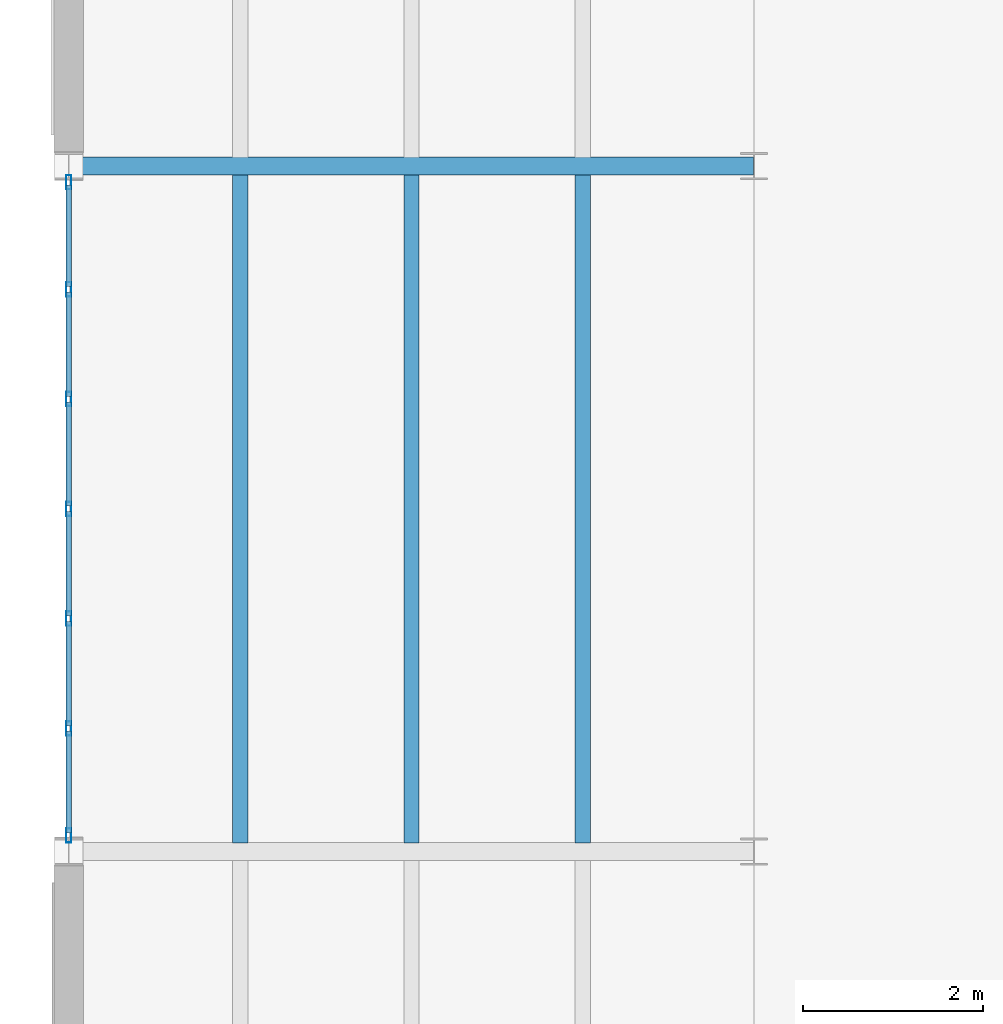
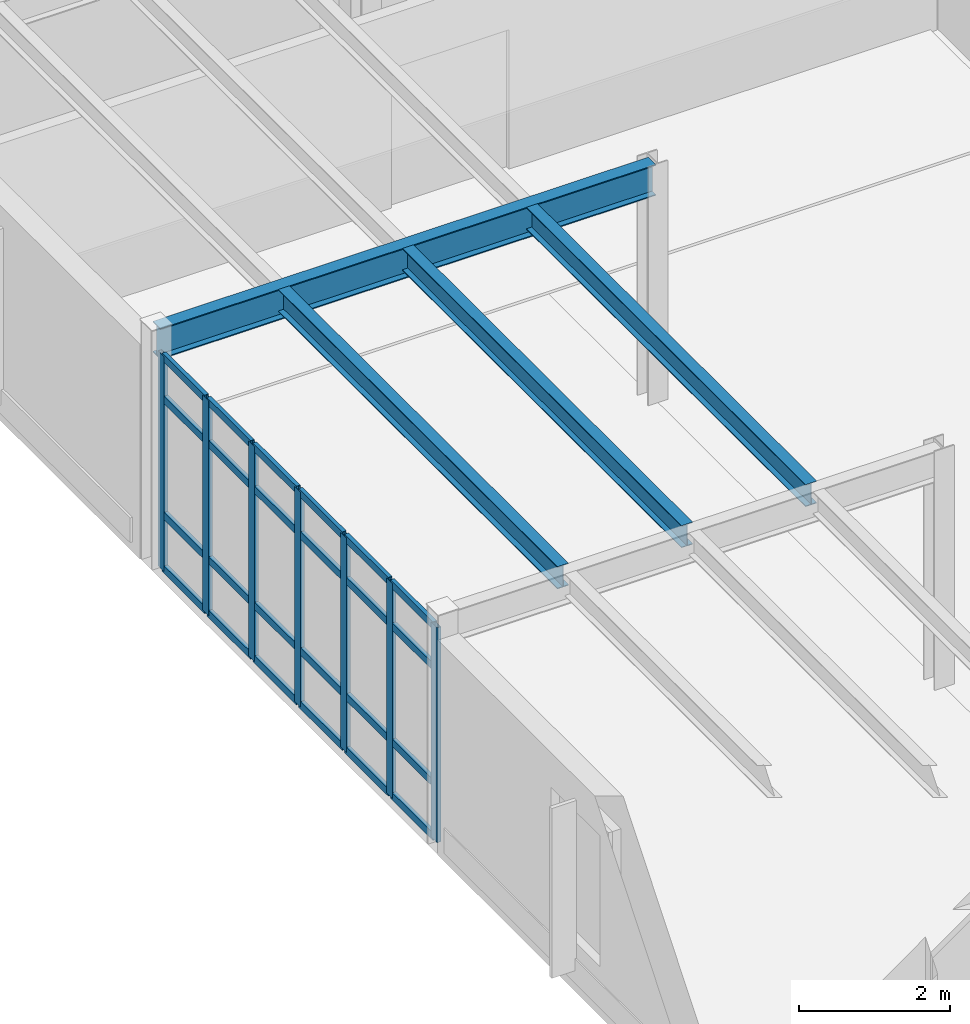
# One storey, part 32 of 114: 31 members, 4 beams, 1 element without a shape of its own.
"""IFC4 building model written with IfcOpenShell, lengths in metres."""

from ifc_helpers import new_model, si_unit, direction, frame, origin, origin_2d, place, context, subcontext, project, spatial, hollow_rectangle, i_section, extrude, material, layer, layer_set, material_profile, profile_set, type_object, element, aggregate, save


model = new_model("IFC4")

# Units and contexts
model_context = context("Model", 3, precision=1e-05, world=origin(), true_north=direction((0.0, 1.0)))
body_context = subcontext(model_context, "Body", "Model", "MODEL_VIEW")
ifc_project = project(units=[si_unit("LENGTHUNIT", "METRE"), si_unit("AREAUNIT", "SQUARE_METRE"), si_unit("VOLUMEUNIT", "CUBIC_METRE"), si_unit("PLANEANGLEUNIT", "RADIAN"), si_unit("MASSUNIT", "GRAM", prefix="KILO")], contexts=[model_context])

# Site, building, storey
site_placement = place(None, origin())
site = spatial("IfcSite", under=ifc_project, at=site_placement, CompositionType="ELEMENT")
building_placement = place(site_placement, origin())
building = spatial("IfcBuilding", under=site, at=building_placement, Name="Montecoro Central Library", CompositionType="ELEMENT")
storey_placement = place(building_placement, frame((0.0, 0.0, 13.260009765625)))
storey = spatial("IfcBuildingStorey", under=building, at=storey_placement, Name="L03", CompositionType="ELEMENT", Elevation=13.260009765625)

# Beams
ifc_material_1 = material(Name="Steel S355", Category="steel")
ifc_material_profile_1 = material_profile(ifc_material_1, i_section(OverallWidth=0.199951171875, OverallDepth=0.5, WebThickness=0.01025390625, FlangeThickness=0.01611328125, at=origin_2d()), Name="IPE 500")
ifc_profile_set_1 = profile_set([ifc_material_profile_1], Name="Steel S355")
beam_type_1 = type_object("IfcBeamType", Name="BM-G-IPE500", PredefinedType="USERDEFINED", material=ifc_profile_set_1)
beam_placement = place(storey_placement, frame((5.0048828125, 96.199951171875, 3.574951171875), z_axis=(1.0, 0.0, 0.0), x_axis=(0.0, 1.0, 0.0)))
element("IfcBeam", 1, at=beam_placement, inside=storey, type_object=beam_type_1, Name="V4-L03-BX-12-N", ObjectType="GIRDER", PredefinedType="USERDEFINED", context=body_context, shape_type="SweptSolid", body=[
    extrude(i_section(OverallWidth=0.199951171875, OverallDepth=0.5, WebThickness=0.01025390625, FlangeThickness=0.01611328125, at=origin_2d()), origin(), (0.0, 0.0, 1.0), 7.590087890625),
])
ifc_material_profile_2 = material_profile(ifc_material_1, i_section(OverallWidth=0.169921875, OverallDepth=0.360107421875, WebThickness=0.008056640625, FlangeThickness=0.0126953125, at=origin_2d()), Name="IPE 360")
ifc_profile_set_2 = profile_set([ifc_material_profile_2], Name="Steel S355")
beam_type_2 = type_object("IfcBeamType", Name="BM-J-IPE360", PredefinedType="JOIST", material=ifc_profile_set_2)
for number, where, z_axis, x_axis, name in (
    (2, (6.89990234375, 88.697021484375, 3.64501953125), (0.0, 1.0, 0.0), (-1.0, 0.0, 0.0), "V4-L03-JS-12-MN-1"),
    (3, (8.800048828125, 88.697021484375, 3.64501953125), (0.0, 1.0, 0.0), (-1.0, 0.0, 0.0), "V4-L03-JS-12-MN-2"),
    (4, (10.699951171875, 88.697021484375, 3.64501953125), (0.0, 1.0, 0.0), (-1.0, 0.0, 0.0), "V4-L03-JS-12-MN-3"),
):
    element("IfcBeam", number, at=place(storey_placement, frame(where, z_axis=z_axis, x_axis=x_axis)), inside=storey, type_object=beam_type_2, Name=name, PredefinedType="JOIST", context=body_context, shape_type="SweptSolid", body=[
        extrude(i_section(OverallWidth=0.169921875, OverallDepth=0.360107421875, WebThickness=0.008056640625, FlangeThickness=0.0126953125, at=origin_2d()), origin(), (0.0, 0.0, 1.0), 7.406005859375),
    ])

# Curtain wall, members
ifc_material_2 = material(Name="Bronze-anodised aluminium and low-E glazing", Category="aluminium")
ifc_layer = layer(ifc_material_2, 0.159912109375)
ifc_layer_set = layer_set([ifc_layer], Name="Bronze-anodised aluminium and low-E glazing")
curtain_wall_type = type_object("IfcCurtainWallType", Name="CWT-052", PredefinedType="NOTDEFINED", material=ifc_layer_set)
curtain_wall_placement = place(storey_placement, origin())
curtain_wall = element("IfcCurtainWall", 5, at=curtain_wall_placement, inside=storey, type_object=curtain_wall_type, Name="V4-L03-CW-W1", PredefinedType="NOTDEFINED")
ifc_material_3 = material(Name="Bronze-anodised aluminium", Category="aluminium")
ifc_material_profile_3 = material_profile(ifc_material_3, hollow_rectangle(XDim=0.06005859375, YDim=0.159912109375, WallThickness=0.00390625, at=origin_2d()), Name="CWM 160x60x4.0")
ifc_profile_set_3 = profile_set([ifc_material_profile_3], Name="Bronze-anodised aluminium")
member_type_1 = type_object("IfcMemberType", Name="CWM-BRZ-60", PredefinedType="MULLION", material=ifc_profile_set_3)
member_1_placement = place(storey_placement, frame((5.0, 96.02197265625, 0.0), z_axis=(0.0, 0.0, 1.0), x_axis=(1.0, 0.0, 0.0)))
member_1 = element("IfcMember", 6, at=member_1_placement, type_object=member_type_1, Name="CW-052 mullion 1", PredefinedType="MULLION", context=body_context, shape_type="SweptSolid", body=[
    extrude(hollow_rectangle(XDim=0.06005859375, YDim=0.159912109375, WallThickness=0.00390625, at=origin_2d()), origin(), (0.0, 0.0, 1.0), 3.47998046875),
])
member_2_placement = place(storey_placement, frame((5.0, 94.834716796875, 0.0), z_axis=(0.0, 0.0, 1.0), x_axis=(1.0, 0.0, 0.0)))
member_2 = element("IfcMember", 7, at=member_2_placement, type_object=member_type_1, Name="CW-052 mullion 2", PredefinedType="MULLION", context=body_context, shape_type="SweptSolid", body=[
    extrude(hollow_rectangle(XDim=0.06005859375, YDim=0.159912109375, WallThickness=0.00390625, at=origin_2d()), origin(), (0.0, 0.0, 1.0), 3.47998046875),
])
member_3_placement = place(storey_placement, frame((5.0, 93.617431640625, 0.0), z_axis=(0.0, 0.0, 1.0), x_axis=(1.0, 0.0, 0.0)))
member_3 = element("IfcMember", 8, at=member_3_placement, type_object=member_type_1, Name="CW-052 mullion 3", PredefinedType="MULLION", context=body_context, shape_type="SweptSolid", body=[
    extrude(hollow_rectangle(XDim=0.06005859375, YDim=0.159912109375, WallThickness=0.00390625, at=origin_2d()), origin(), (0.0, 0.0, 1.0), 3.47998046875),
])
member_4_placement = place(storey_placement, frame((5.0, 92.39990234375, 0.0), z_axis=(0.0, 0.0, 1.0), x_axis=(1.0, 0.0, 0.0)))
member_4 = element("IfcMember", 9, at=member_4_placement, type_object=member_type_1, Name="CW-052 mullion 4", PredefinedType="MULLION", context=body_context, shape_type="SweptSolid", body=[
    extrude(hollow_rectangle(XDim=0.06005859375, YDim=0.159912109375, WallThickness=0.00390625, at=origin_2d()), origin(), (0.0, 0.0, 1.0), 3.47998046875),
])
member_5_placement = place(storey_placement, frame((5.0, 91.1826171875, 0.0), z_axis=(0.0, 0.0, 1.0), x_axis=(1.0, 0.0, 0.0)))
member_5 = element("IfcMember", 10, at=member_5_placement, type_object=member_type_1, Name="CW-052 mullion 5", PredefinedType="MULLION", context=body_context, shape_type="SweptSolid", body=[
    extrude(hollow_rectangle(XDim=0.06005859375, YDim=0.159912109375, WallThickness=0.00390625, at=origin_2d()), origin(), (0.0, 0.0, 1.0), 3.47998046875),
])
member_6_placement = place(storey_placement, frame((5.0, 89.96533203125, 0.0), z_axis=(0.0, 0.0, 1.0), x_axis=(1.0, 0.0, 0.0)))
member_6 = element("IfcMember", 11, at=member_6_placement, type_object=member_type_1, Name="CW-052 mullion 6", PredefinedType="MULLION", context=body_context, shape_type="SweptSolid", body=[
    extrude(hollow_rectangle(XDim=0.06005859375, YDim=0.159912109375, WallThickness=0.00390625, at=origin_2d()), origin(), (0.0, 0.0, 1.0), 3.47998046875),
])
member_7_placement = place(storey_placement, frame((5.0, 88.778076171875, 0.0), z_axis=(0.0, 0.0, 1.0), x_axis=(1.0, 0.0, 0.0)))
member_7 = element("IfcMember", 12, at=member_7_placement, type_object=member_type_1, Name="CW-052 mullion 7", PredefinedType="MULLION", context=body_context, shape_type="SweptSolid", body=[
    extrude(hollow_rectangle(XDim=0.06005859375, YDim=0.159912109375, WallThickness=0.00390625, at=origin_2d()), origin(), (0.0, 0.0, 1.0), 3.47998046875),
])
ifc_material_profile_4 = material_profile(ifc_material_3, hollow_rectangle(XDim=0.06005859375, YDim=0.1201171875, WallThickness=0.00390625, at=origin_2d()), Name="CWT 120x60x4.0")
ifc_profile_set_4 = profile_set([ifc_material_profile_4], Name="Bronze-anodised aluminium")
member_type_2 = type_object("IfcMemberType", Name="CWT-BRZ-60", PredefinedType="USERDEFINED", material=ifc_profile_set_4)
member_8_placement = place(storey_placement, frame((5.0, 95.991943359375, 0.030029296875), z_axis=(0.0, -1.0, 0.0), x_axis=(1.0, 0.0, 0.0)))
member_8 = element("IfcMember", 13, at=member_8_placement, type_object=member_type_2, Name="CW-052 transom 1.1", ObjectType="TRANSOM", PredefinedType="USERDEFINED", context=body_context, shape_type="SweptSolid", body=[
    extrude(hollow_rectangle(XDim=0.06005859375, YDim=0.1201171875, WallThickness=0.00390625, at=origin_2d()), origin(), (0.0, 0.0, 1.0), 1.127197265625),
])
member_9_placement = place(storey_placement, frame((5.0, 95.991943359375, 0.89990234375), z_axis=(0.0, -1.0, 0.0), x_axis=(1.0, 0.0, 0.0)))
member_9 = element("IfcMember", 14, at=member_9_placement, type_object=member_type_2, Name="CW-052 transom 1.2", ObjectType="TRANSOM", PredefinedType="USERDEFINED", context=body_context, shape_type="SweptSolid", body=[
    extrude(hollow_rectangle(XDim=0.06005859375, YDim=0.1201171875, WallThickness=0.00390625, at=origin_2d()), origin(), (0.0, 0.0, 1.0), 1.127197265625),
])
member_10_placement = place(storey_placement, frame((5.0, 95.991943359375, 2.780029296875), z_axis=(0.0, -1.0, 0.0), x_axis=(1.0, 0.0, 0.0)))
member_10 = element("IfcMember", 15, at=member_10_placement, type_object=member_type_2, Name="CW-052 transom 1.3", ObjectType="TRANSOM", PredefinedType="USERDEFINED", context=body_context, shape_type="SweptSolid", body=[
    extrude(hollow_rectangle(XDim=0.06005859375, YDim=0.1201171875, WallThickness=0.00390625, at=origin_2d()), origin(), (0.0, 0.0, 1.0), 1.127197265625),
])
member_11_placement = place(storey_placement, frame((5.0, 95.991943359375, 3.449951171875), z_axis=(0.0, -1.0, 0.0), x_axis=(1.0, 0.0, 0.0)))
member_11 = element("IfcMember", 16, at=member_11_placement, type_object=member_type_2, Name="CW-052 transom 1.4", ObjectType="TRANSOM", PredefinedType="USERDEFINED", context=body_context, shape_type="SweptSolid", body=[
    extrude(hollow_rectangle(XDim=0.06005859375, YDim=0.1201171875, WallThickness=0.00390625, at=origin_2d()), origin(), (0.0, 0.0, 1.0), 1.127197265625),
])
member_12_placement = place(storey_placement, frame((5.0, 94.8046875, 0.030029296875), z_axis=(0.0, -1.0, 0.0), x_axis=(1.0, 0.0, 0.0)))
member_12 = element("IfcMember", 17, at=member_12_placement, type_object=member_type_2, Name="CW-052 transom 2.1", ObjectType="TRANSOM", PredefinedType="USERDEFINED", context=body_context, shape_type="SweptSolid", body=[
    extrude(hollow_rectangle(XDim=0.06005859375, YDim=0.1201171875, WallThickness=0.00390625, at=origin_2d()), origin(), (0.0, 0.0, 1.0), 1.157470703125),
])
member_13_placement = place(storey_placement, frame((5.0, 94.8046875, 0.89990234375), z_axis=(0.0, -1.0, 0.0), x_axis=(1.0, 0.0, 0.0)))
member_13 = element("IfcMember", 18, at=member_13_placement, type_object=member_type_2, Name="CW-052 transom 2.2", ObjectType="TRANSOM", PredefinedType="USERDEFINED", context=body_context, shape_type="SweptSolid", body=[
    extrude(hollow_rectangle(XDim=0.06005859375, YDim=0.1201171875, WallThickness=0.00390625, at=origin_2d()), origin(), (0.0, 0.0, 1.0), 1.157470703125),
])
member_14_placement = place(storey_placement, frame((5.0, 94.8046875, 2.780029296875), z_axis=(0.0, -1.0, 0.0), x_axis=(1.0, 0.0, 0.0)))
member_14 = element("IfcMember", 19, at=member_14_placement, type_object=member_type_2, Name="CW-052 transom 2.3", ObjectType="TRANSOM", PredefinedType="USERDEFINED", context=body_context, shape_type="SweptSolid", body=[
    extrude(hollow_rectangle(XDim=0.06005859375, YDim=0.1201171875, WallThickness=0.00390625, at=origin_2d()), origin(), (0.0, 0.0, 1.0), 1.157470703125),
])
member_15_placement = place(storey_placement, frame((5.0, 94.8046875, 3.449951171875), z_axis=(0.0, -1.0, 0.0), x_axis=(1.0, 0.0, 0.0)))
member_15 = element("IfcMember", 20, at=member_15_placement, type_object=member_type_2, Name="CW-052 transom 2.4", ObjectType="TRANSOM", PredefinedType="USERDEFINED", context=body_context, shape_type="SweptSolid", body=[
    extrude(hollow_rectangle(XDim=0.06005859375, YDim=0.1201171875, WallThickness=0.00390625, at=origin_2d()), origin(), (0.0, 0.0, 1.0), 1.157470703125),
])
member_16_placement = place(storey_placement, frame((5.0, 93.58740234375, 0.030029296875), z_axis=(0.0, -1.0, 0.0), x_axis=(1.0, 0.0, 0.0)))
member_16 = element("IfcMember", 21, at=member_16_placement, type_object=member_type_2, Name="CW-052 transom 3.1", ObjectType="TRANSOM", PredefinedType="USERDEFINED", context=body_context, shape_type="SweptSolid", body=[
    extrude(hollow_rectangle(XDim=0.06005859375, YDim=0.1201171875, WallThickness=0.00390625, at=origin_2d()), origin(), (0.0, 0.0, 1.0), 1.157470703125),
])
member_17_placement = place(storey_placement, frame((5.0, 93.58740234375, 0.89990234375), z_axis=(0.0, -1.0, 0.0), x_axis=(1.0, 0.0, 0.0)))
member_17 = element("IfcMember", 22, at=member_17_placement, type_object=member_type_2, Name="CW-052 transom 3.2", ObjectType="TRANSOM", PredefinedType="USERDEFINED", context=body_context, shape_type="SweptSolid", body=[
    extrude(hollow_rectangle(XDim=0.06005859375, YDim=0.1201171875, WallThickness=0.00390625, at=origin_2d()), origin(), (0.0, 0.0, 1.0), 1.157470703125),
])
member_18_placement = place(storey_placement, frame((5.0, 93.58740234375, 2.780029296875), z_axis=(0.0, -1.0, 0.0), x_axis=(1.0, 0.0, 0.0)))
member_18 = element("IfcMember", 23, at=member_18_placement, type_object=member_type_2, Name="CW-052 transom 3.3", ObjectType="TRANSOM", PredefinedType="USERDEFINED", context=body_context, shape_type="SweptSolid", body=[
    extrude(hollow_rectangle(XDim=0.06005859375, YDim=0.1201171875, WallThickness=0.00390625, at=origin_2d()), origin(), (0.0, 0.0, 1.0), 1.157470703125),
])
member_19_placement = place(storey_placement, frame((5.0, 93.58740234375, 3.449951171875), z_axis=(0.0, -1.0, 0.0), x_axis=(1.0, 0.0, 0.0)))
member_19 = element("IfcMember", 24, at=member_19_placement, type_object=member_type_2, Name="CW-052 transom 3.4", ObjectType="TRANSOM", PredefinedType="USERDEFINED", context=body_context, shape_type="SweptSolid", body=[
    extrude(hollow_rectangle(XDim=0.06005859375, YDim=0.1201171875, WallThickness=0.00390625, at=origin_2d()), origin(), (0.0, 0.0, 1.0), 1.157470703125),
])
member_20_placement = place(storey_placement, frame((5.0, 92.3701171875, 0.030029296875), z_axis=(0.0, -1.0, 0.0), x_axis=(1.0, 0.0, 0.0)))
member_20 = element("IfcMember", 25, at=member_20_placement, type_object=member_type_2, Name="CW-052 transom 4.1", ObjectType="TRANSOM", PredefinedType="USERDEFINED", context=body_context, shape_type="SweptSolid", body=[
    extrude(hollow_rectangle(XDim=0.06005859375, YDim=0.1201171875, WallThickness=0.00390625, at=origin_2d()), origin(), (0.0, 0.0, 1.0), 1.157470703125),
])
member_21_placement = place(storey_placement, frame((5.0, 92.3701171875, 0.89990234375), z_axis=(0.0, -1.0, 0.0), x_axis=(1.0, 0.0, 0.0)))
member_21 = element("IfcMember", 26, at=member_21_placement, type_object=member_type_2, Name="CW-052 transom 4.2", ObjectType="TRANSOM", PredefinedType="USERDEFINED", context=body_context, shape_type="SweptSolid", body=[
    extrude(hollow_rectangle(XDim=0.06005859375, YDim=0.1201171875, WallThickness=0.00390625, at=origin_2d()), origin(), (0.0, 0.0, 1.0), 1.157470703125),
])
member_22_placement = place(storey_placement, frame((5.0, 92.3701171875, 2.780029296875), z_axis=(0.0, -1.0, 0.0), x_axis=(1.0, 0.0, 0.0)))
member_22 = element("IfcMember", 27, at=member_22_placement, type_object=member_type_2, Name="CW-052 transom 4.3", ObjectType="TRANSOM", PredefinedType="USERDEFINED", context=body_context, shape_type="SweptSolid", body=[
    extrude(hollow_rectangle(XDim=0.06005859375, YDim=0.1201171875, WallThickness=0.00390625, at=origin_2d()), origin(), (0.0, 0.0, 1.0), 1.157470703125),
])
member_23_placement = place(storey_placement, frame((5.0, 92.3701171875, 3.449951171875), z_axis=(0.0, -1.0, 0.0), x_axis=(1.0, 0.0, 0.0)))
member_23 = element("IfcMember", 28, at=member_23_placement, type_object=member_type_2, Name="CW-052 transom 4.4", ObjectType="TRANSOM", PredefinedType="USERDEFINED", context=body_context, shape_type="SweptSolid", body=[
    extrude(hollow_rectangle(XDim=0.06005859375, YDim=0.1201171875, WallThickness=0.00390625, at=origin_2d()), origin(), (0.0, 0.0, 1.0), 1.157470703125),
])
member_24_placement = place(storey_placement, frame((5.0, 91.152587890625, 0.030029296875), z_axis=(0.0, -1.0, 0.0), x_axis=(1.0, 0.0, 0.0)))
member_24 = element("IfcMember", 29, at=member_24_placement, type_object=member_type_2, Name="CW-052 transom 5.1", ObjectType="TRANSOM", PredefinedType="USERDEFINED", context=body_context, shape_type="SweptSolid", body=[
    extrude(hollow_rectangle(XDim=0.06005859375, YDim=0.1201171875, WallThickness=0.00390625, at=origin_2d()), origin(), (0.0, 0.0, 1.0), 1.1572265625),
])
member_25_placement = place(storey_placement, frame((5.0, 91.152587890625, 0.89990234375), z_axis=(0.0, -1.0, 0.0), x_axis=(1.0, 0.0, 0.0)))
member_25 = element("IfcMember", 30, at=member_25_placement, type_object=member_type_2, Name="CW-052 transom 5.2", ObjectType="TRANSOM", PredefinedType="USERDEFINED", context=body_context, shape_type="SweptSolid", body=[
    extrude(hollow_rectangle(XDim=0.06005859375, YDim=0.1201171875, WallThickness=0.00390625, at=origin_2d()), origin(), (0.0, 0.0, 1.0), 1.1572265625),
])
member_26_placement = place(storey_placement, frame((5.0, 91.152587890625, 2.780029296875), z_axis=(0.0, -1.0, 0.0), x_axis=(1.0, 0.0, 0.0)))
member_26 = element("IfcMember", 31, at=member_26_placement, type_object=member_type_2, Name="CW-052 transom 5.3", ObjectType="TRANSOM", PredefinedType="USERDEFINED", context=body_context, shape_type="SweptSolid", body=[
    extrude(hollow_rectangle(XDim=0.06005859375, YDim=0.1201171875, WallThickness=0.00390625, at=origin_2d()), origin(), (0.0, 0.0, 1.0), 1.1572265625),
])
member_27_placement = place(storey_placement, frame((5.0, 91.152587890625, 3.449951171875), z_axis=(0.0, -1.0, 0.0), x_axis=(1.0, 0.0, 0.0)))
member_27 = element("IfcMember", 32, at=member_27_placement, type_object=member_type_2, Name="CW-052 transom 5.4", ObjectType="TRANSOM", PredefinedType="USERDEFINED", context=body_context, shape_type="SweptSolid", body=[
    extrude(hollow_rectangle(XDim=0.06005859375, YDim=0.1201171875, WallThickness=0.00390625, at=origin_2d()), origin(), (0.0, 0.0, 1.0), 1.1572265625),
])
member_28_placement = place(storey_placement, frame((5.0, 89.935302734375, 0.030029296875), z_axis=(0.0, -1.0, 0.0), x_axis=(1.0, 0.0, 0.0)))
member_28 = element("IfcMember", 33, at=member_28_placement, type_object=member_type_2, Name="CW-052 transom 6.1", ObjectType="TRANSOM", PredefinedType="USERDEFINED", context=body_context, shape_type="SweptSolid", body=[
    extrude(hollow_rectangle(XDim=0.06005859375, YDim=0.1201171875, WallThickness=0.00390625, at=origin_2d()), origin(), (0.0, 0.0, 1.0), 1.127197265625),
])
member_29_placement = place(storey_placement, frame((5.0, 89.935302734375, 0.89990234375), z_axis=(0.0, -1.0, 0.0), x_axis=(1.0, 0.0, 0.0)))
member_29 = element("IfcMember", 34, at=member_29_placement, type_object=member_type_2, Name="CW-052 transom 6.2", ObjectType="TRANSOM", PredefinedType="USERDEFINED", context=body_context, shape_type="SweptSolid", body=[
    extrude(hollow_rectangle(XDim=0.06005859375, YDim=0.1201171875, WallThickness=0.00390625, at=origin_2d()), origin(), (0.0, 0.0, 1.0), 1.127197265625),
])
member_30_placement = place(storey_placement, frame((5.0, 89.935302734375, 2.780029296875), z_axis=(0.0, -1.0, 0.0), x_axis=(1.0, 0.0, 0.0)))
member_30 = element("IfcMember", 35, at=member_30_placement, type_object=member_type_2, Name="CW-052 transom 6.3", ObjectType="TRANSOM", PredefinedType="USERDEFINED", context=body_context, shape_type="SweptSolid", body=[
    extrude(hollow_rectangle(XDim=0.06005859375, YDim=0.1201171875, WallThickness=0.00390625, at=origin_2d()), origin(), (0.0, 0.0, 1.0), 1.127197265625),
])
member_31_placement = place(storey_placement, frame((5.0, 89.935302734375, 3.449951171875), z_axis=(0.0, -1.0, 0.0), x_axis=(1.0, 0.0, 0.0)))
member_31 = element("IfcMember", 36, at=member_31_placement, type_object=member_type_2, Name="CW-052 transom 6.4", ObjectType="TRANSOM", PredefinedType="USERDEFINED", context=body_context, shape_type="SweptSolid", body=[
    extrude(hollow_rectangle(XDim=0.06005859375, YDim=0.1201171875, WallThickness=0.00390625, at=origin_2d()), origin(), (0.0, 0.0, 1.0), 1.127197265625),
])
aggregate(curtain_wall, [member_1, member_2, member_3, member_4, member_5, member_6, member_7, member_8, member_9, member_10, member_11, member_12, member_13, member_14, member_15, member_16, member_17, member_18, member_19, member_20, member_21, member_22, member_23, member_24, member_25, member_26, member_27, member_28, member_29, member_30, member_31])

save(model, "model.ifc")
